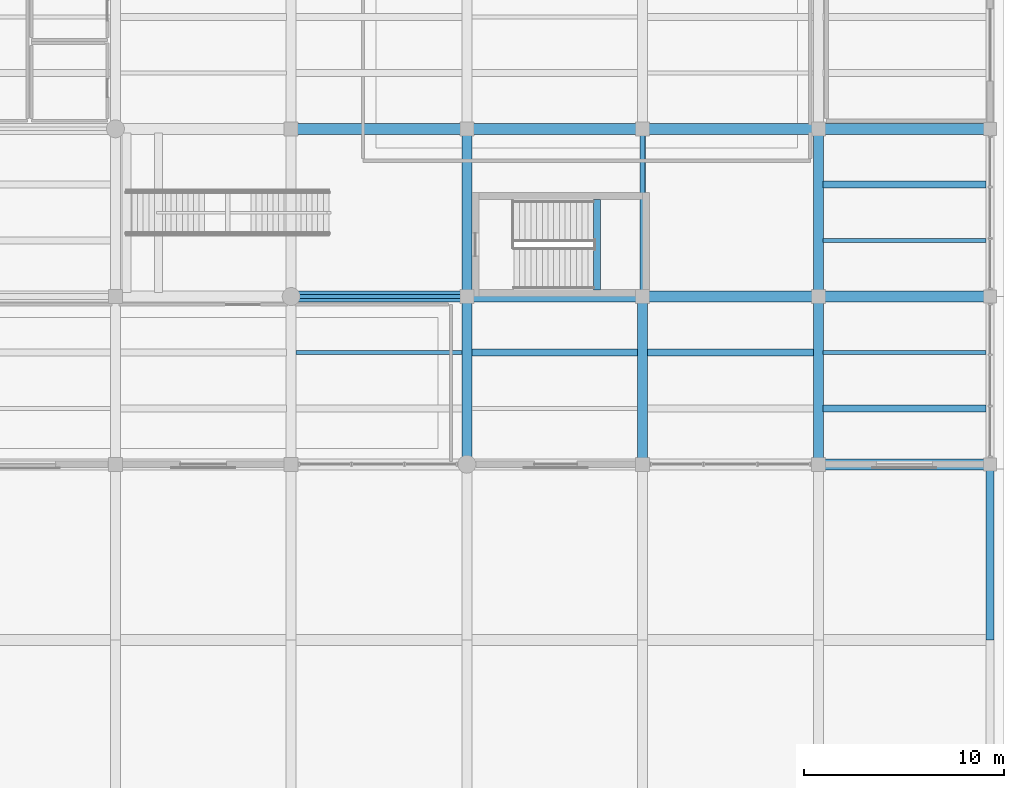
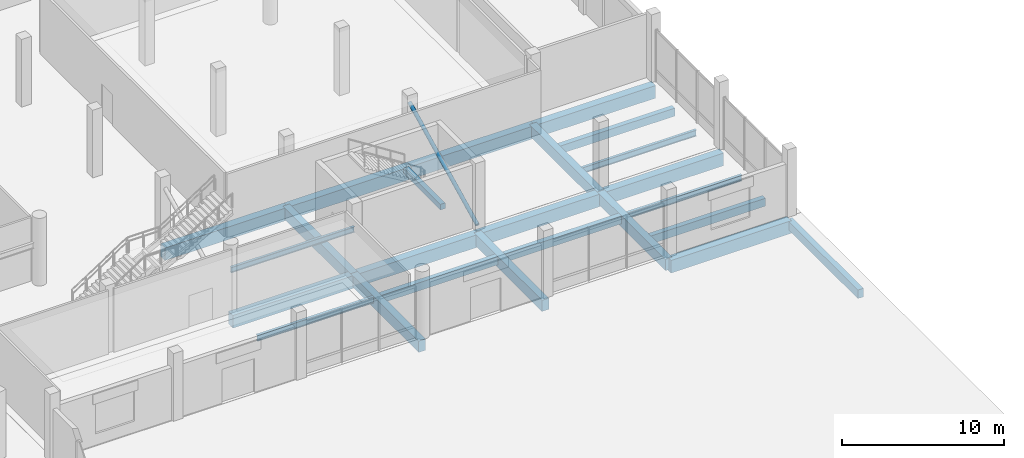
# One storey, part 45 of 73: 24 beams, 1 member.
"""IFC4 building model written with IfcOpenShell, lengths in metres."""

import ifcopenshell
import ifcopenshell.guid

model = None  # the IFC model being written
_history = None  # IfcOwnerHistory: only IFC2X3 demands one
_inside = {}  # id of a spatial element -> (the spatial element, [elements in it])
_under = {}  # id of a project, library or spatial element -> (it, [spatial elements below it])
_declared = {}  # id of a project -> (the project, [libraries it declares])
_typed = {}  # id of a type object -> (the type object, [elements of that type])
_made_of = {}  # id of a material, layer set ... -> (it, [elements and type objects made of it])


def new_model(schema):
    """Start an empty IFC model of exactly this schema.

    Asked for "IFC4X3", IfcOpenShell would pick the latest addendum, in which some entities
    have other attributes; the version numbers below select the first issue.
    IFC2X3 requires an IfcOwnerHistory on every rooted entity: one is made here for all.
    """
    global model, _history
    if schema == "IFC4X3":
        model = ifcopenshell.file(schema_version=(4, 3, 0, 0))
    else:
        model = ifcopenshell.file(schema=schema)
    _inside.clear()
    _under.clear()
    _declared.clear()
    _typed.clear()
    _made_of.clear()
    _history = None
    if model.schema == "IFC2X3":
        org = make("IfcOrganization", Name="unknown")
        user = make(
            "IfcPersonAndOrganization",
            ThePerson=make("IfcPerson", FamilyName="unknown"),
            TheOrganization=org,
        )
        app = make(
            "IfcApplication",
            ApplicationDeveloper=org,
            Version="unknown",
            ApplicationFullName="unknown",
            ApplicationIdentifier="unknown",
        )
        _history = make(
            "IfcOwnerHistory",
            OwningUser=user,
            OwningApplication=app,
            ChangeAction="ADDED",
            CreationDate=0,
        )
    return model


def make(cls, **values):
    """One entity of the class cls with the attributes given. An attribute that is None is left unset."""
    return model.create_entity(
        cls, **{name: value for name, value in values.items() if value is not None}
    )


def rooted(cls, **values):
    """An entity with a GlobalId (a new one), such as an element, a storey or a relation."""
    return make(cls, GlobalId=ifcopenshell.guid.new(), OwnerHistory=_history, **values)


def si_unit(unit_type, name, prefix=None):
    """IfcSIUnit, for example si_unit("LENGTHUNIT", "METRE", prefix="MILLI")."""
    return make("IfcSIUnit", UnitType=unit_type, Prefix=prefix, Name=name)


def assignment(units):
    """IfcUnitAssignment: the units of a project."""
    return None if units is None else make("IfcUnitAssignment", Units=units)


def point(xyz):
    """IfcCartesianPoint."""
    return None if xyz is None else make("IfcCartesianPoint", Coordinates=xyz)


def direction(xyz):
    """IfcDirection."""
    return None if xyz is None else make("IfcDirection", DirectionRatios=xyz)


def frame(location, z_axis=None, x_axis=None):
    """IfcAxis2Placement3D, a coordinate frame: its origin and axes. An axis left out is left unset."""
    return make(
        "IfcAxis2Placement3D",
        Location=point(location),
        Axis=direction(z_axis),
        RefDirection=direction(x_axis),
    )


def frame_2d(location, x_axis=None):
    """IfcAxis2Placement2D, a coordinate frame in the plane: its origin and x axis."""
    return make(
        "IfcAxis2Placement2D", Location=point(location), RefDirection=direction(x_axis)
    )


def origin():
    """The frame at (0, 0, 0) with its axes left unset."""
    return frame((0.0, 0.0, 0.0))


def origin_2d():
    """The frame at (0, 0) in the plane with its x axis left unset."""
    return frame_2d((0.0, 0.0))


def place(relative_to, where):
    """IfcLocalPlacement: puts the frame where relative to a parent placement (None: the world)."""
    return make(
        "IfcLocalPlacement", PlacementRelTo=relative_to, RelativePlacement=where
    )


def context(
    kind, dimensions, precision=None, world=None, true_north=None, identifier=None
):
    """IfcGeometricRepresentationContext, for example the 3D "Model" context."""
    return make(
        "IfcGeometricRepresentationContext",
        ContextIdentifier=identifier,
        ContextType=kind,
        CoordinateSpaceDimension=dimensions,
        Precision=precision,
        WorldCoordinateSystem=world,
        TrueNorth=true_north,
    )


def subcontext(parent, identifier, kind, view, scale=None):
    """IfcGeometricRepresentationSubContext, for example "Body" below "Model"."""
    return make(
        "IfcGeometricRepresentationSubContext",
        ContextIdentifier=identifier,
        ContextType=kind,
        ParentContext=parent,
        TargetScale=scale,
        TargetView=view,
    )


def project(units=None, contexts=None):
    """IfcProject with its units and contexts."""
    return rooted(
        "IfcProject",
        Name="project",
        RepresentationContexts=contexts,
        UnitsInContext=assignment(units),
    )


def spatial(cls, under=None, at=None, **own):
    """A site, building, storey or space (cls), placed at a placement, below another one or the project."""
    s = rooted(cls, ObjectPlacement=at, **own)
    if under is not None:
        _under.setdefault(under.id(), (under, []))[1].append(s)
    return s


def profile(cls, at=None, kind="AREA", **sizes):
    """A parametric profile (cls). Its sizes go by their IFC names, for example OverallWidth=200.0."""
    return make(cls, ProfileType=kind, Position=at, **sizes)


def rectangle(**sizes):
    """IfcRectangleProfileDef."""
    return profile("IfcRectangleProfileDef", **sizes)


def hollow_circle(**sizes):
    """IfcCircleHollowProfileDef."""
    return profile("IfcCircleHollowProfileDef", **sizes)


def i_section(**sizes):
    """IfcIShapeProfileDef."""
    return profile("IfcIShapeProfileDef", **sizes)


def extrude(swept, where, along, depth):
    """IfcExtrudedAreaSolid: the profile swept, set in the frame where, extruded along a direction by depth."""
    return make(
        "IfcExtrudedAreaSolid",
        SweptArea=swept,
        Position=where,
        ExtrudedDirection=direction(along),
        Depth=depth,
    )


def shape(context_of_items, identifier, shape_type, items):
    """IfcShapeRepresentation: the items that make up one representation, for example the "Body"."""
    return make(
        "IfcShapeRepresentation",
        ContextOfItems=context_of_items,
        RepresentationIdentifier=identifier,
        RepresentationType=shape_type,
        Items=items,
    )


def material(Name=None, Category=None):
    """IfcMaterial."""
    return make("IfcMaterial", Name=Name, Category=Category)


def material_profile(
    of_material, cross_section, Name=None, Category=None, Priority=None
):
    """IfcMaterialProfile: a cross section and its material."""
    return make(
        "IfcMaterialProfile",
        Name=Name,
        Material=of_material,
        Profile=cross_section,
        Priority=Priority,
        Category=Category,
    )


def profile_set(profiles, Name=None, composite=None):
    """IfcMaterialProfileSet."""
    return make(
        "IfcMaterialProfileSet",
        Name=Name,
        MaterialProfiles=profiles,
        CompositeProfile=composite,
    )


def made_of(thing, what):
    """Note that an element or type object is made of a material, layer set ...; save() writes the relation."""
    if what is not None:
        _made_of.setdefault(what.id(), (what, []))[1].append(thing)
    return thing


def type_object(cls, material=None, **own):
    """A type object (cls), such as IfcWallType, which elements share."""
    return made_of(rooted(cls, **own), material)


def element(
    cls,
    number,
    at=None,
    inside=None,
    cuts=None,
    type_object=None,
    material=None,
    context=None,
    identifier="Body",
    shape_type=None,
    held_by="IfcProductDefinitionShape",
    body=None,
    shapes=None,
    **own,
):
    """One element of the class cls, such as IfcWall. Its Tag is "e" and its number.

    at: its placement. inside: the storey or other place that contains it. cuts: it is an
    opening in that element (IfcRelVoidsElement). A single representation is given by context,
    identifier, shape_type and body (its items); several are given by shapes. held_by: the class
    of the entity that holds the representations. save() writes the other relations.
    """
    e = rooted(cls, Tag="e%d" % number, ObjectPlacement=at, **own)
    if body is not None:
        shapes = [shape(context, identifier, shape_type, body)]
    if shapes is not None:
        e.Representation = make(held_by, Representations=shapes)
    if inside is not None:
        _inside.setdefault(inside.id(), (inside, []))[1].append(e)
    if cuts is not None:
        rooted(
            "IfcRelVoidsElement", RelatingBuildingElement=cuts, RelatedOpeningElement=e
        )
    if type_object is not None:
        _typed.setdefault(type_object.id(), (type_object, []))[1].append(e)
    return made_of(e, material)


def aggregate(whole, parts):
    """IfcRelAggregates: a whole, such as a stair, and the parts it consists of."""
    return rooted("IfcRelAggregates", RelatingObject=whole, RelatedObjects=parts)


def save(model, path):
    """Write the relations noted so far, then the file.

    IfcRelAggregates (storeys below a building ...), IfcRelContainedInSpatialStructure (elements
    in a storey), IfcRelDefinesByType, IfcRelAssociatesMaterial and IfcRelDeclares: one each for
    every whole, place, type object, material and project.
    """
    for whole, parts in _under.values():
        aggregate(whole, parts)
    for where, things in _inside.values():
        rooted(
            "IfcRelContainedInSpatialStructure",
            RelatedElements=things,
            RelatingStructure=where,
        )
    for kind, things in _typed.values():
        rooted("IfcRelDefinesByType", RelatedObjects=things, RelatingType=kind)
    for what, things in _made_of.values():
        rooted("IfcRelAssociatesMaterial", RelatedObjects=things, RelatingMaterial=what)
    for by, libraries in _declared.values():
        rooted("IfcRelDeclares", RelatingContext=by, RelatedDefinitions=libraries)
    model.write(path)


model = new_model("IFC4")

# Units and contexts
model_context = context("Model", 3, precision=1e-05, world=origin(), true_north=direction((0.0, 1.0)))
body_context = subcontext(model_context, "Body", "Model", "MODEL_VIEW")
ifc_project = project(units=[si_unit("LENGTHUNIT", "METRE"), si_unit("AREAUNIT", "SQUARE_METRE"), si_unit("VOLUMEUNIT", "CUBIC_METRE"), si_unit("PLANEANGLEUNIT", "RADIAN"), si_unit("MASSUNIT", "GRAM", prefix="KILO")], contexts=[model_context])

# Site, building, storey
site_placement = place(None, origin())
site = spatial("IfcSite", under=ifc_project, at=site_placement, CompositionType="ELEMENT")
building_placement = place(site_placement, origin())
building = spatial("IfcBuilding", under=site, at=building_placement, Name="Meriwether Solvik Hall", CompositionType="ELEMENT")
storey_placement = place(building_placement, origin())
storey = spatial("IfcBuildingStorey", under=building, at=storey_placement, Name="L00", CompositionType="ELEMENT", Elevation=0.0)

# Beams
ifc_material_1 = material(Name="Concrete C40/50", Category="concrete")
ifc_material_profile_1 = material_profile(ifc_material_1, rectangle(XDim=0.35009765625, YDim=0.419921875, at=origin_2d()), Name="RCB-350X420")
ifc_profile_set_1 = profile_set([ifc_material_profile_1], Name="Concrete C40/50")
beam_type_1 = type_object("IfcBeamType", Name="BM-LND-RC-350X420", PredefinedType="BEAM", material=ifc_profile_set_1)
beam_1_placement = place(storey_placement, frame((147.1201171875, 58.72998046875, 2.139892578125), z_axis=(0.0, 1.0, 0.0), x_axis=(-1.0, 0.0, 0.0)))
element("IfcBeam", 1, at=beam_1_placement, inside=storey, type_object=beam_type_1, Name="Stair ST-05 Half-Landing Header Beam (L00)", PredefinedType="BEAM", context=body_context, shape_type="SweptSolid", body=[
    extrude(rectangle(XDim=0.35009765625, YDim=0.419921875, at=origin_2d()), origin(), (0.0, 0.0, 1.0), 4.5400390625),
])
ifc_material_2 = material(Name="Concrete C40/50", Category="concrete")
ifc_material_profile_2 = material_profile(ifc_material_2, rectangle(XDim=0.35009765625, YDim=0.60009765625, at=origin_2d()), Name="RCB-350X600")
ifc_profile_set_2 = profile_set([ifc_material_profile_2], Name="Concrete C40/50")
beam_type_2 = type_object("IfcBeamType", Name="BM-RC-350X600", PredefinedType="JOIST", material=ifc_profile_set_2)
for number, where, z_axis, x_axis, name in (
    (2, (140.844970703125, 55.60009765625, -0.659912109375), (1.0, 0.0, 0.0), (0.0, 1.0, 0.0), "Secondary Floor Joist 16/F_J2 (L00)"),
    (3, (149.64501953125, 55.60009765625, -0.659912109375), (1.0, 0.0, 0.0), (0.0, 1.0, 0.0), "Secondary Floor Joist 17/F_J2 (L00)"),
):
    element("IfcBeam", number, at=place(storey_placement, frame(where, z_axis=z_axis, x_axis=x_axis)), inside=storey, type_object=beam_type_2, Name=name, PredefinedType="JOIST", context=body_context, shape_type="SweptSolid", body=[
        extrude(rectangle(XDim=0.35009765625, YDim=0.60009765625, at=origin_2d()), origin(), (0.0, 0.0, 1.0), 8.31005859375),
    ])
for number, where, z_axis, x_axis, name in (
    (4, (158.445068359375, 52.800048828125, -0.659912109375), (1.0, 0.0, 0.0), (0.0, 1.0, 0.0), "Secondary Floor Joist 18/F_J1 (L00)"),
    (5, (158.445068359375, 64.0, -0.659912109375), (1.0, 0.0, 0.0), (0.0, 1.0, 0.0), "Secondary Floor Joist 18/G_J2 (L00)"),
):
    element("IfcBeam", number, at=place(storey_placement, frame(where, z_axis=z_axis, x_axis=x_axis)), inside=storey, type_object=beam_type_2, Name=name, PredefinedType="JOIST", context=body_context, shape_type="SweptSolid", body=[
        extrude(rectangle(XDim=0.35009765625, YDim=0.60009765625, at=origin_2d()), origin(), (0.0, 0.0, 1.0), 8.159912109375),
    ])
ifc_material_3 = material(Name="Concrete C40/50", Category="concrete")
ifc_material_profile_3 = material_profile(ifc_material_3, rectangle(XDim=0.39990234375, YDim=0.64990234375, at=origin_2d()), Name="RCB-400X650")
ifc_profile_set_3 = profile_set([ifc_material_profile_3], Name="Concrete C40/50")
beam_type_3 = type_object("IfcBeamType", Name="BM-RC-400X650", PredefinedType="SPANDREL", material=ifc_profile_set_3)
beam_2_placement = place(storey_placement, frame((166.800048828125, 41.199951171875, -0.68505859375), z_axis=(0.0, 1.0, 0.0), x_axis=(-1.0, 0.0, 0.0)))
element("IfcBeam", 6, at=beam_2_placement, inside=storey, type_object=beam_type_3, Name="Podium Girder 19:E-F (L00)", PredefinedType="SPANDREL", context=body_context, shape_type="SweptSolid", body=[
    extrude(rectangle(XDim=0.39990234375, YDim=0.64990234375, at=origin_2d()), origin(), (0.0, 0.0, 1.0), 8.800048828125),
])
ifc_material_4 = material(Name="Concrete C40/50", Category="concrete")
ifc_material_profile_4 = material_profile(ifc_material_4, rectangle(XDim=0.5, YDim=0.85009765625, at=origin_2d()), Name="RCB-500X850")
ifc_profile_set_4 = profile_set([ifc_material_profile_4], Name="Concrete C40/50")
beam_type_4 = type_object("IfcBeamType", Name="BM-RC-500X850", PredefinedType="BEAM", material=ifc_profile_set_4)
beam_3_placement = place(storey_placement, frame((140.60009765625, 50.0, -0.784912109375), z_axis=(0.0, 1.0, 0.0), x_axis=(-1.0, 0.0, 0.0)))
element("IfcBeam", 7, at=beam_3_placement, inside=storey, type_object=beam_type_4, Name="Podium Girder 16:F-G (L00)", PredefinedType="BEAM", context=body_context, shape_type="SweptSolid", body=[
    extrude(rectangle(XDim=0.5, YDim=0.85009765625, at=origin_2d()), origin(), (0.0, 0.0, 1.0), 8.39990234375),
])
beam_4_placement = place(storey_placement, frame((140.60009765625, 58.39990234375, -0.784912109375), z_axis=(0.0, 1.0, 0.0), x_axis=(-1.0, 0.0, 0.0)))
element("IfcBeam", 8, at=beam_4_placement, inside=storey, type_object=beam_type_4, Name="Podium Girder 16:G-H (L00)", PredefinedType="BEAM", context=body_context, shape_type="SweptSolid", body=[
    extrude(rectangle(XDim=0.5, YDim=0.85009765625, at=origin_2d()), origin(), (0.0, 0.0, 1.0), 8.400146484375),
])
for number, where, z_axis, x_axis, name in (
    (9, (149.39990234375, 50.0, -0.784912109375), (0.0, 1.0, 0.0), (-1.0, 0.0, 0.0), "Podium Girder 17:F-G (L00)"),
    (10, (158.199951171875, 50.0, -0.784912109375), (0.0, 1.0, 0.0), (-1.0, 0.0, 0.0), "Podium Girder 18:F-G (L00)"),
):
    element("IfcBeam", number, at=place(storey_placement, frame(where, z_axis=z_axis, x_axis=x_axis)), inside=storey, type_object=beam_type_4, Name=name, PredefinedType="BEAM", context=body_context, shape_type="SweptSolid", body=[
        extrude(rectangle(XDim=0.5, YDim=0.85009765625, at=origin_2d()), origin(), (0.0, 0.0, 1.0), 8.39990234375),
    ])
beam_5_placement = place(storey_placement, frame((158.199951171875, 58.39990234375, -0.784912109375), z_axis=(0.0, 1.0, 0.0), x_axis=(-1.0, 0.0, 0.0)))
element("IfcBeam", 11, at=beam_5_placement, inside=storey, type_object=beam_type_4, Name="Podium Girder 18:G-H (L00)", PredefinedType="BEAM", context=body_context, shape_type="SweptSolid", body=[
    extrude(rectangle(XDim=0.5, YDim=0.85009765625, at=origin_2d()), origin(), (0.0, 0.0, 1.0), 8.400146484375),
])
ifc_material_5 = material(Name="Concrete C40/50", Category="concrete")
ifc_material_profile_5 = material_profile(ifc_material_5, rectangle(XDim=0.550048828125, YDim=0.949951171875, at=origin_2d()), Name="RCB-550X950")
ifc_profile_set_5 = profile_set([ifc_material_profile_5], Name="Concrete C40/50")
beam_type_5 = type_object("IfcBeamType", Name="BM-RC-550X950", PredefinedType="BEAM", material=ifc_profile_set_5)
beam_6_placement = place(storey_placement, frame((158.199951171875, 50.0, -0.8349609375), z_axis=(1.0, 0.0, 0.0), x_axis=(0.0, 1.0, 0.0)))
element("IfcBeam", 12, at=beam_6_placement, inside=storey, type_object=beam_type_5, Name="Podium Girder F:18-19 (L00)", PredefinedType="BEAM", context=body_context, shape_type="SweptSolid", body=[
    extrude(rectangle(XDim=0.550048828125, YDim=0.949951171875, at=origin_2d()), origin(), (0.0, 0.0, 1.0), 8.60009765625),
])
beam_7_placement = place(storey_placement, frame((131.800048828125, 58.39990234375, -0.8349609375), z_axis=(1.0, 0.0, 0.0), x_axis=(0.0, 1.0, 0.0)))
element("IfcBeam", 13, at=beam_7_placement, inside=storey, type_object=beam_type_5, Name="Podium Girder G:15-16 (L00)", PredefinedType="BEAM", context=body_context, shape_type="SweptSolid", body=[
    extrude(rectangle(XDim=0.550048828125, YDim=0.949951171875, at=origin_2d()), origin(), (0.0, 0.0, 1.0), 8.800048828125),
])
beam_8_placement = place(storey_placement, frame((140.60009765625, 58.39990234375, -0.8349609375), z_axis=(1.0, 0.0, 0.0), x_axis=(0.0, 1.0, 0.0)))
element("IfcBeam", 14, at=beam_8_placement, inside=storey, type_object=beam_type_5, Name="Podium Girder G:16-17 (L00)", PredefinedType="BEAM", context=body_context, shape_type="SweptSolid", body=[
    extrude(rectangle(XDim=0.550048828125, YDim=0.949951171875, at=origin_2d()), origin(), (0.0, 0.0, 1.0), 8.7998046875),
])
beam_9_placement = place(storey_placement, frame((149.39990234375, 58.39990234375, -0.8349609375), z_axis=(1.0, 0.0, 0.0), x_axis=(0.0, 1.0, 0.0)))
element("IfcBeam", 15, at=beam_9_placement, inside=storey, type_object=beam_type_5, Name="Podium Girder G:17-18 (L00)", PredefinedType="BEAM", context=body_context, shape_type="SweptSolid", body=[
    extrude(rectangle(XDim=0.550048828125, YDim=0.949951171875, at=origin_2d()), origin(), (0.0, 0.0, 1.0), 8.800048828125),
])
beam_10_placement = place(storey_placement, frame((158.199951171875, 58.39990234375, -0.8349609375), z_axis=(1.0, 0.0, 0.0), x_axis=(0.0, 1.0, 0.0)))
element("IfcBeam", 16, at=beam_10_placement, inside=storey, type_object=beam_type_5, Name="Podium Girder G:18-19 (L00)", PredefinedType="BEAM", context=body_context, shape_type="SweptSolid", body=[
    extrude(rectangle(XDim=0.550048828125, YDim=0.949951171875, at=origin_2d()), origin(), (0.0, 0.0, 1.0), 8.60009765625),
])
beam_11_placement = place(storey_placement, frame((131.800048828125, 66.800048828125, -0.8349609375), z_axis=(1.0, 0.0, 0.0), x_axis=(0.0, 1.0, 0.0)))
element("IfcBeam", 17, at=beam_11_placement, inside=storey, type_object=beam_type_5, Name="Podium Girder H:15-16 (L00)", PredefinedType="BEAM", context=body_context, shape_type="SweptSolid", body=[
    extrude(rectangle(XDim=0.550048828125, YDim=0.949951171875, at=origin_2d()), origin(), (0.0, 0.0, 1.0), 8.800048828125),
])
beam_12_placement = place(storey_placement, frame((140.60009765625, 66.800048828125, -0.8349609375), z_axis=(1.0, 0.0, 0.0), x_axis=(0.0, 1.0, 0.0)))
element("IfcBeam", 18, at=beam_12_placement, inside=storey, type_object=beam_type_5, Name="Podium Girder H:16-17 (L00)", PredefinedType="BEAM", context=body_context, shape_type="SweptSolid", body=[
    extrude(rectangle(XDim=0.550048828125, YDim=0.949951171875, at=origin_2d()), origin(), (0.0, 0.0, 1.0), 8.7998046875),
])
beam_13_placement = place(storey_placement, frame((149.39990234375, 66.800048828125, -0.8349609375), z_axis=(1.0, 0.0, 0.0), x_axis=(0.0, 1.0, 0.0)))
element("IfcBeam", 19, at=beam_13_placement, inside=storey, type_object=beam_type_5, Name="Podium Girder H:17-18 (L00)", PredefinedType="BEAM", context=body_context, shape_type="SweptSolid", body=[
    extrude(rectangle(XDim=0.550048828125, YDim=0.949951171875, at=origin_2d()), origin(), (0.0, 0.0, 1.0), 8.800048828125),
])
beam_14_placement = place(storey_placement, frame((158.199951171875, 66.800048828125, -0.8349609375), z_axis=(1.0, 0.0, 0.0), x_axis=(0.0, 1.0, 0.0)))
element("IfcBeam", 20, at=beam_14_placement, inside=storey, type_object=beam_type_5, Name="Podium Girder H:18-19 (L00)", PredefinedType="BEAM", context=body_context, shape_type="SweptSolid", body=[
    extrude(rectangle(XDim=0.550048828125, YDim=0.949951171875, at=origin_2d()), origin(), (0.0, 0.0, 1.0), 8.60009765625),
])
ifc_material_6 = material(Name="Steel A992 Grade 50", Category="steel")
ifc_material_profile_6 = material_profile(ifc_material_6, i_section(OverallWidth=0.180908203125, OverallDepth=0.4169921875, WebThickness=0.010986328125, FlangeThickness=0.018310546875, at=origin_2d()), Name="W16X57")
ifc_profile_set_6 = profile_set([ifc_material_profile_6], Name="Steel A992 Grade 50")
beam_type_6 = type_object("IfcBeamType", Name="BM-STL-W16X57", PredefinedType="LINTEL", material=ifc_profile_set_6)
beam_15_placement = place(storey_placement, frame((131.800048828125, 58.39990234375, 2.94140625), z_axis=(1.0, 0.0, 0.0), x_axis=(0.0, 1.0, 0.0)))
element("IfcBeam", 21, at=beam_15_placement, inside=storey, type_object=beam_type_6, Name="Galleria Portal Lintel G:15-16 (L00)", PredefinedType="LINTEL", context=body_context, shape_type="SweptSolid", body=[
    extrude(i_section(OverallWidth=0.180908203125, OverallDepth=0.4169921875, WebThickness=0.010986328125, FlangeThickness=0.018310546875, at=origin_2d()), origin(), (0.0, 0.0, 1.0), 8.800048828125),
])
ifc_material_7 = material(Name="Steel A992 Grade 50", Category="steel")
ifc_material_profile_7 = material_profile(ifc_material_7, i_section(OverallWidth=0.19091796875, OverallDepth=0.45703125, WebThickness=0.009033203125, FlangeThickness=0.014404296875, at=origin_2d()), Name="W18X50")
ifc_profile_set_7 = profile_set([ifc_material_profile_7], Name="Steel A992 Grade 50")
beam_type_7 = type_object("IfcBeamType", Name="BM-STL-W18X50", PredefinedType="JOIST", material=ifc_profile_set_7)
beam_16_placement = place(storey_placement, frame((132.044921875, 55.60009765625, -0.58837890625), z_axis=(1.0, 0.0, 0.0), x_axis=(0.0, 1.0, 0.0)))
element("IfcBeam", 22, at=beam_16_placement, inside=storey, type_object=beam_type_7, Name="Secondary Floor Joist 15/F_J2 (L00)", PredefinedType="JOIST", context=body_context, shape_type="SweptSolid", body=[
    extrude(i_section(OverallWidth=0.19091796875, OverallDepth=0.45703125, WebThickness=0.009033203125, FlangeThickness=0.014404296875, at=origin_2d()), origin(), (0.0, 0.0, 1.0), 8.31005859375),
])
for number, where, z_axis, x_axis, name in (
    (23, (158.445068359375, 55.60009765625, -0.58837890625), (1.0, 0.0, 0.0), (0.0, 1.0, 0.0), "Secondary Floor Joist 18/F_J2 (L00)"),
    (24, (158.445068359375, 61.199951171875, -0.58837890625), (1.0, 0.0, 0.0), (0.0, 1.0, 0.0), "Secondary Floor Joist 18/G_J1 (L00)"),
):
    element("IfcBeam", number, at=place(storey_placement, frame(where, z_axis=z_axis, x_axis=x_axis)), inside=storey, type_object=beam_type_7, Name=name, PredefinedType="JOIST", context=body_context, shape_type="SweptSolid", body=[
        extrude(i_section(OverallWidth=0.19091796875, OverallDepth=0.45703125, WebThickness=0.009033203125, FlangeThickness=0.014404296875, at=origin_2d()), origin(), (0.0, 0.0, 1.0), 8.159912109375),
    ])

# Member
ifc_material_8 = material(Name="Steel A500 Grade C", Category="steel")
ifc_material_profile_8 = material_profile(ifc_material_8, hollow_circle(Radius=0.136474609375, WallThickness=0.0126953125, at=origin_2d()), Name="CHS273X12.7")
ifc_profile_set_8 = profile_set([ifc_material_profile_8], Name="Steel A500 Grade C")
member_type = type_object("IfcMemberType", Name="MEM-BR-CHS273", PredefinedType="BRACE", material=ifc_profile_set_8)
member_placement = place(storey_placement, frame((149.39990234375, 58.39990234375, 0.14990234375), z_axis=(0.0, 0.896548507288, 0.442945565594), x_axis=(-1.0, 0.0, 0.0)))
element("IfcMember", 25, at=member_placement, inside=storey, type_object=member_type, Name="Podium Diagonal Brace L00-PB4", PredefinedType="BRACE", context=body_context, shape_type="SweptSolid", body=[
    extrude(hollow_circle(Radius=0.136474609375, WallThickness=0.0126953125, at=origin_2d()), origin(), (0.0, 0.0, 1.0), 9.369384765625),
])

save(model, "model.ifc")
